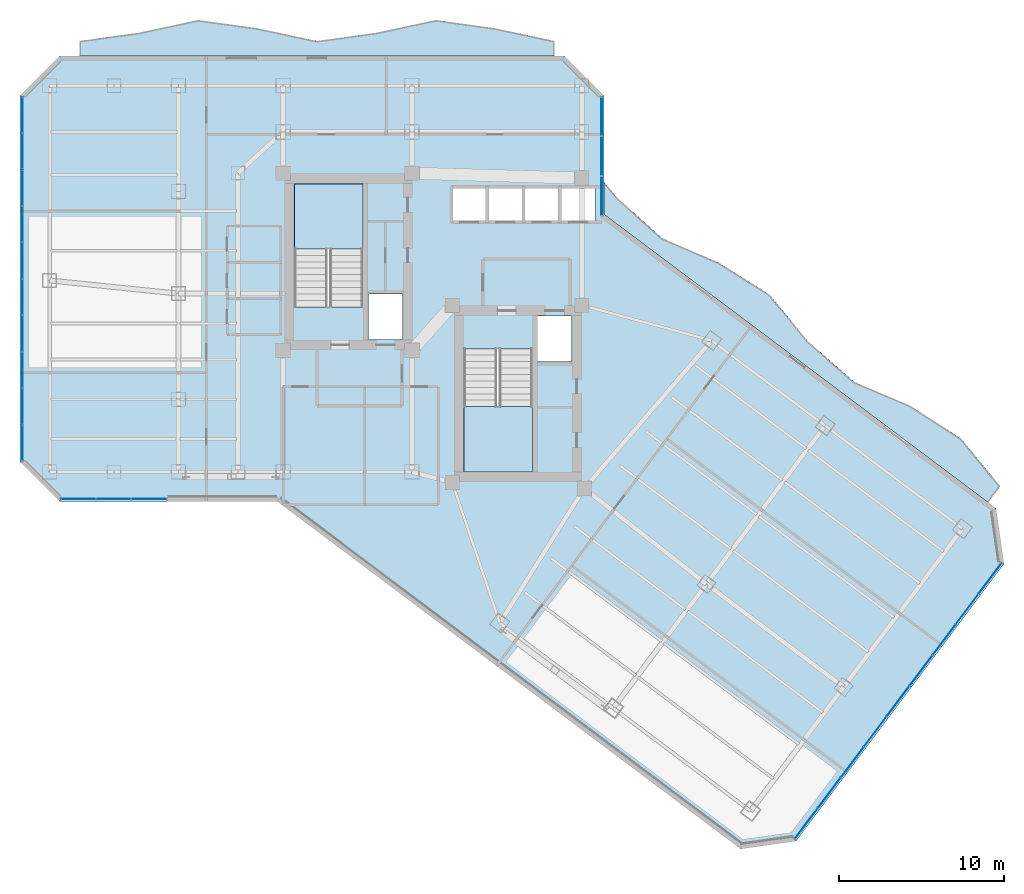
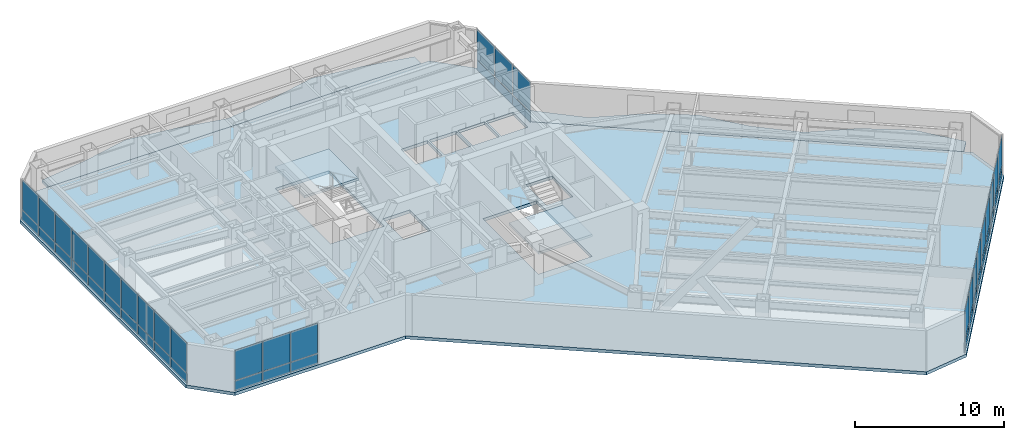
# One storey, part 20 of 29: 50 plates, 5 slabs, 6 elements without a shape of their own.
"""IFC4 building model written with IfcOpenShell, lengths in metres."""

from ifc_helpers import new_model, si_unit, direction, frame, origin, origin_2d, place, context, subcontext, project, spatial, polyline, rectangle, outline, extrude, material, layer, layer_set, type_object, element, aggregate, save


model = new_model("IFC4")

# Units and contexts
model_context = context("Model", 3, precision=1e-05, world=origin(), true_north=direction((0.0, 1.0)))
body_context = subcontext(model_context, "Body", "Model", "MODEL_VIEW")
ifc_project = project(units=[si_unit("LENGTHUNIT", "METRE"), si_unit("AREAUNIT", "SQUARE_METRE"), si_unit("VOLUMEUNIT", "CUBIC_METRE"), si_unit("PLANEANGLEUNIT", "RADIAN"), si_unit("MASSUNIT", "GRAM", prefix="KILO")], contexts=[model_context])

# Site, building, storey
site_placement = place(None, origin())
site = spatial("IfcSite", under=ifc_project, at=site_placement, CompositionType="ELEMENT")
building_placement = place(site_placement, origin())
building = spatial("IfcBuilding", under=site, at=building_placement, Name="Hatsunagi Terrace Concourse", CompositionType="ELEMENT")
storey_placement = place(building_placement, frame((0.0, 0.0, 108.449951171875)))
storey = spatial("IfcBuildingStorey", under=building, at=storey_placement, Name="L28", CompositionType="ELEMENT", Elevation=108.449951171875)

# Curtain wall, plates
ifc_material_1 = material(Name="Anodised Aluminium Alloy 6063-T5", Category="aluminium")
ifc_layer_1 = layer(ifc_material_1, 0.199951171875)
ifc_layer_set_1 = layer_set([ifc_layer_1], Name="OfficeZone1_CW03")
curtain_wall_type = type_object("IfcCurtainWallType", Name="OfficeZone1_CW03", PredefinedType="NOTDEFINED", material=ifc_layer_set_1)
curtain_wall_1_placement = place(storey_placement, origin())
curtain_wall_1 = element("IfcCurtainWall", 1, at=curtain_wall_1_placement, inside=storey, type_object=curtain_wall_type, Name="Unitised Curtain Wall CW-03 CW-L28-03", PredefinedType="NOTDEFINED")
ifc_material_2 = material(Name="Warm Terracotta Ceramic Spandrel Panel", Category="masonry")
ifc_layer_2 = layer(ifc_material_2, 0.031982421875)
ifc_layer_set_2 = layer_set([ifc_layer_2], Name="CurtainWallSpandrelPanel_32")
plate_type_1 = type_object("IfcPlateType", Name="CurtainWallSpandrelPanel_32", PredefinedType="SHEET", material=ifc_layer_set_2)
plate_1_placement = place(storey_placement, frame((68.39697265625, 18.72998046875, 0.030029296875), z_axis=(0.0, 0.0, 1.0), x_axis=(-0.599969314634, -0.800023013105, 0.0)))
plate_1 = element("IfcPlate", 2, at=plate_1_placement, type_object=plate_type_1, Name="Terracotta Spandrel Panel SPN-01", PredefinedType="SHEET", context=body_context, shape_type="SweptSolid", body=[
    extrude(rectangle(XDim=2.264892578125, YDim=0.031982421875, at=origin_2d()), origin(), (0.0, 0.0, 1.0), 0.7900390625),
])
plate_2_placement = place(storey_placement, frame((67.0048828125, 16.873046875, 0.030029296875), z_axis=(0.0, 0.0, 1.0), x_axis=(-0.599969314634, -0.800023013105, 0.0)))
plate_2 = element("IfcPlate", 3, at=plate_2_placement, type_object=plate_type_1, Name="Terracotta Spandrel Panel SPN-01", PredefinedType="SHEET", context=body_context, shape_type="SweptSolid", body=[
    extrude(rectangle(XDim=2.264892578125, YDim=0.031982421875, at=origin_2d()), origin(), (0.0, 0.0, 1.0), 0.7900390625),
])
plate_3_placement = place(storey_placement, frame((65.612060546875, 15.01708984375, 0.030029296875), z_axis=(0.0, 0.0, 1.0), x_axis=(-0.599969314634, -0.800023013105, 0.0)))
plate_3 = element("IfcPlate", 4, at=plate_3_placement, type_object=plate_type_1, Name="Terracotta Spandrel Panel SPN-01", PredefinedType="SHEET", context=body_context, shape_type="SweptSolid", body=[
    extrude(rectangle(XDim=2.264892578125, YDim=0.031982421875, at=origin_2d()), origin(), (0.0, 0.0, 1.0), 0.7900390625),
])
plate_4_placement = place(storey_placement, frame((64.219970703125, 13.159912109375, 0.030029296875), z_axis=(0.0, 0.0, 1.0), x_axis=(-0.599969314634, -0.800023013105, 0.0)))
plate_4 = element("IfcPlate", 5, at=plate_4_placement, type_object=plate_type_1, Name="Terracotta Spandrel Panel SPN-01", PredefinedType="SHEET", context=body_context, shape_type="SweptSolid", body=[
    extrude(rectangle(XDim=2.264892578125, YDim=0.031982421875, at=origin_2d()), origin(), (0.0, 0.0, 1.0), 0.7900390625),
])
plate_5_placement = place(storey_placement, frame((62.827880859375, 11.303955078125, 0.030029296875), z_axis=(0.0, 0.0, 1.0), x_axis=(-0.599969314634, -0.800023013105, 0.0)))
plate_5 = element("IfcPlate", 6, at=plate_5_placement, type_object=plate_type_1, Name="Terracotta Spandrel Panel SPN-01", PredefinedType="SHEET", context=body_context, shape_type="SweptSolid", body=[
    extrude(rectangle(XDim=2.264892578125, YDim=0.031982421875, at=origin_2d()), origin(), (0.0, 0.0, 1.0), 0.7900390625),
])
plate_6_placement = place(storey_placement, frame((61.43603515625, 9.447998046875, 0.030029296875), z_axis=(0.0, 0.0, 1.0), x_axis=(-0.599969314634, -0.800023013105, 0.0)))
plate_6 = element("IfcPlate", 7, at=plate_6_placement, type_object=plate_type_1, Name="Terracotta Spandrel Panel SPN-01", PredefinedType="SHEET", context=body_context, shape_type="SweptSolid", body=[
    extrude(rectangle(XDim=2.264892578125, YDim=0.031982421875, at=origin_2d()), origin(), (0.0, 0.0, 1.0), 0.7900390625),
])
plate_7_placement = place(storey_placement, frame((60.0439453125, 7.591064453125, 0.030029296875), z_axis=(0.0, 0.0, 1.0), x_axis=(-0.599969314634, -0.800023013105, 0.0)))
plate_7 = element("IfcPlate", 8, at=plate_7_placement, type_object=plate_type_1, Name="Terracotta Spandrel Panel SPN-01", PredefinedType="SHEET", context=body_context, shape_type="SweptSolid", body=[
    extrude(rectangle(XDim=2.264892578125, YDim=0.031982421875, at=origin_2d()), origin(), (0.0, 0.0, 1.0), 0.7900390625),
])
plate_8_placement = place(storey_placement, frame((58.65087890625, 5.735107421875, 0.030029296875), z_axis=(0.0, 0.0, 1.0), x_axis=(-0.599969314634, -0.800023013105, 0.0)))
plate_8 = element("IfcPlate", 9, at=plate_8_placement, type_object=plate_type_1, Name="Terracotta Spandrel Panel SPN-01", PredefinedType="SHEET", context=body_context, shape_type="SweptSolid", body=[
    extrude(rectangle(XDim=2.264892578125, YDim=0.031982421875, at=origin_2d()), origin(), (0.0, 0.0, 1.0), 0.7900390625),
])
plate_9_placement = place(storey_placement, frame((57.259033203125, 3.8779296875, 0.030029296875), z_axis=(0.0, 0.0, 1.0), x_axis=(-0.599969314634, -0.800023013105, 0.0)))
plate_9 = element("IfcPlate", 10, at=plate_9_placement, type_object=plate_type_1, Name="Terracotta Spandrel Panel SPN-01", PredefinedType="SHEET", context=body_context, shape_type="SweptSolid", body=[
    extrude(rectangle(XDim=2.264892578125, YDim=0.031982421875, at=origin_2d()), origin(), (0.0, 0.0, 1.0), 0.7900390625),
])

curtain_wall_2_placement = place(storey_placement, origin())
curtain_wall_2 = element("IfcCurtainWall", 11, at=curtain_wall_2_placement, inside=storey, type_object=curtain_wall_type, Name="Unitised Curtain Wall CW-03 CW-L28-07", PredefinedType="NOTDEFINED")
plate_10_placement = place(storey_placement, frame((17.426025390625, 23.5400390625, 0.030029296875), z_axis=(0.0, 0.0, 1.0), x_axis=(-1.0, 0.0, 0.0)))
plate_10 = element("IfcPlate", 12, at=plate_10_placement, type_object=plate_type_1, Name="Terracotta Spandrel Panel SPN-01", PredefinedType="SHEET", context=body_context, shape_type="SweptSolid", body=[
    extrude(rectangle(XDim=2.092041015625, YDim=0.031982421875, at=origin_2d()), origin(), (0.0, 0.0, 1.0), 0.7900390625),
])
plate_11_placement = place(storey_placement, frame((15.279052734375, 23.5400390625, 0.030029296875), z_axis=(0.0, 0.0, 1.0), x_axis=(-1.0, 0.0, 0.0)))
plate_11 = element("IfcPlate", 13, at=plate_11_placement, type_object=plate_type_1, Name="Terracotta Spandrel Panel SPN-01", PredefinedType="SHEET", context=body_context, shape_type="SweptSolid", body=[
    extrude(rectangle(XDim=2.092041015625, YDim=0.031982421875, at=origin_2d()), origin(), (0.0, 0.0, 1.0), 0.7900390625),
])
plate_12_placement = place(storey_placement, frame((13.132080078125, 23.5400390625, 0.030029296875), z_axis=(0.0, 0.0, 1.0), x_axis=(-1.0, 0.0, 0.0)))
plate_12 = element("IfcPlate", 14, at=plate_12_placement, type_object=plate_type_1, Name="Terracotta Spandrel Panel SPN-01", PredefinedType="SHEET", context=body_context, shape_type="SweptSolid", body=[
    extrude(rectangle(XDim=2.092041015625, YDim=0.031982421875, at=origin_2d()), origin(), (0.0, 0.0, 1.0), 0.7900390625),
])

curtain_wall_3_placement = place(storey_placement, origin())
curtain_wall_3 = element("IfcCurtainWall", 15, at=curtain_wall_3_placement, inside=storey, type_object=curtain_wall_type, Name="Unitised Curtain Wall CW-03 CW-L28-09", PredefinedType="NOTDEFINED")
plate_13_placement = place(storey_placement, frame((9.739990234375, 26.9619140625, 0.030029296875), z_axis=(0.0, 0.0, 1.0), x_axis=(0.0, 1.0, 0.0)))
plate_13 = element("IfcPlate", 16, at=plate_13_placement, type_object=plate_type_1, Name="Terracotta Spandrel Panel SPN-01", PredefinedType="SHEET", context=body_context, shape_type="SweptSolid", body=[
    extrude(rectangle(XDim=2.153076171875, YDim=0.031982421875, at=origin_2d()), origin(), (0.0, 0.0, 1.0), 0.7900390625),
])
plate_14_placement = place(storey_placement, frame((9.739990234375, 29.1708984375, 0.030029296875), z_axis=(0.0, 0.0, 1.0), x_axis=(0.0, 1.0, 0.0)))
plate_14 = element("IfcPlate", 17, at=plate_14_placement, type_object=plate_type_1, Name="Terracotta Spandrel Panel SPN-01", PredefinedType="SHEET", context=body_context, shape_type="SweptSolid", body=[
    extrude(rectangle(XDim=2.153076171875, YDim=0.031982421875, at=origin_2d()), origin(), (0.0, 0.0, 1.0), 0.7900390625),
])
plate_15_placement = place(storey_placement, frame((9.739990234375, 31.37890625, 0.030029296875), z_axis=(0.0, 0.0, 1.0), x_axis=(0.0, 1.0, 0.0)))
plate_15 = element("IfcPlate", 18, at=plate_15_placement, type_object=plate_type_1, Name="Terracotta Spandrel Panel SPN-01", PredefinedType="SHEET", context=body_context, shape_type="SweptSolid", body=[
    extrude(rectangle(XDim=2.153076171875, YDim=0.031982421875, at=origin_2d()), origin(), (0.0, 0.0, 1.0), 0.7900390625),
])
plate_16_placement = place(storey_placement, frame((9.739990234375, 33.5869140625, 0.030029296875), z_axis=(0.0, 0.0, 1.0), x_axis=(0.0, 1.0, 0.0)))
plate_16 = element("IfcPlate", 19, at=plate_16_placement, type_object=plate_type_1, Name="Terracotta Spandrel Panel SPN-01", PredefinedType="SHEET", context=body_context, shape_type="SweptSolid", body=[
    extrude(rectangle(XDim=2.153076171875, YDim=0.031982421875, at=origin_2d()), origin(), (0.0, 0.0, 1.0), 0.7900390625),
])
plate_17_placement = place(storey_placement, frame((9.739990234375, 35.7958984375, 0.030029296875), z_axis=(0.0, 0.0, 1.0), x_axis=(0.0, 1.0, 0.0)))
plate_17 = element("IfcPlate", 20, at=plate_17_placement, type_object=plate_type_1, Name="Terracotta Spandrel Panel SPN-01", PredefinedType="SHEET", context=body_context, shape_type="SweptSolid", body=[
    extrude(rectangle(XDim=2.153076171875, YDim=0.031982421875, at=origin_2d()), origin(), (0.0, 0.0, 1.0), 0.7900390625),
])
plate_18_placement = place(storey_placement, frame((9.739990234375, 38.00390625, 0.030029296875), z_axis=(0.0, 0.0, 1.0), x_axis=(0.0, 1.0, 0.0)))
plate_18 = element("IfcPlate", 21, at=plate_18_placement, type_object=plate_type_1, Name="Terracotta Spandrel Panel SPN-01", PredefinedType="SHEET", context=body_context, shape_type="SweptSolid", body=[
    extrude(rectangle(XDim=2.153076171875, YDim=0.031982421875, at=origin_2d()), origin(), (0.0, 0.0, 1.0), 0.7900390625),
])
plate_19_placement = place(storey_placement, frame((9.739990234375, 40.212890625, 0.030029296875), z_axis=(0.0, 0.0, 1.0), x_axis=(0.0, 1.0, 0.0)))
plate_19 = element("IfcPlate", 22, at=plate_19_placement, type_object=plate_type_1, Name="Terracotta Spandrel Panel SPN-01", PredefinedType="SHEET", context=body_context, shape_type="SweptSolid", body=[
    extrude(rectangle(XDim=2.153076171875, YDim=0.031982421875, at=origin_2d()), origin(), (0.0, 0.0, 1.0), 0.7900390625),
])
plate_20_placement = place(storey_placement, frame((9.739990234375, 42.4208984375, 0.030029296875), z_axis=(0.0, 0.0, 1.0), x_axis=(0.0, 1.0, 0.0)))
plate_20 = element("IfcPlate", 23, at=plate_20_placement, type_object=plate_type_1, Name="Terracotta Spandrel Panel SPN-01", PredefinedType="SHEET", context=body_context, shape_type="SweptSolid", body=[
    extrude(rectangle(XDim=2.153076171875, YDim=0.031982421875, at=origin_2d()), origin(), (0.0, 0.0, 1.0), 0.7900390625),
])
plate_21_placement = place(storey_placement, frame((9.739990234375, 44.62890625, 0.030029296875), z_axis=(0.0, 0.0, 1.0), x_axis=(0.0, 1.0, 0.0)))
plate_21 = element("IfcPlate", 24, at=plate_21_placement, type_object=plate_type_1, Name="Terracotta Spandrel Panel SPN-01", PredefinedType="SHEET", context=body_context, shape_type="SweptSolid", body=[
    extrude(rectangle(XDim=2.153076171875, YDim=0.031982421875, at=origin_2d()), origin(), (0.0, 0.0, 1.0), 0.7900390625),
])
plate_22_placement = place(storey_placement, frame((9.739990234375, 46.837890625, 0.030029296875), z_axis=(0.0, 0.0, 1.0), x_axis=(0.0, 1.0, 0.0)))
plate_22 = element("IfcPlate", 25, at=plate_22_placement, type_object=plate_type_1, Name="Terracotta Spandrel Panel SPN-01", PredefinedType="SHEET", context=body_context, shape_type="SweptSolid", body=[
    extrude(rectangle(XDim=2.153076171875, YDim=0.031982421875, at=origin_2d()), origin(), (0.0, 0.0, 1.0), 0.7900390625),
])

curtain_wall_4_placement = place(storey_placement, origin())
curtain_wall_4 = element("IfcCurtainWall", 26, at=curtain_wall_4_placement, inside=storey, type_object=curtain_wall_type, Name="Unitised Curtain Wall CW-03 CW-L28-13", PredefinedType="NOTDEFINED")
plate_23_placement = place(storey_placement, frame((44.860107421875, 46.739990234375, 0.030029296875), z_axis=(0.0, 0.0, 1.0), x_axis=(0.0, -1.0, 0.0)))
plate_23 = element("IfcPlate", 27, at=plate_23_placement, type_object=plate_type_1, Name="Terracotta Spandrel Panel SPN-01", PredefinedType="SHEET", context=body_context, shape_type="SweptSolid", body=[
    extrude(rectangle(XDim=2.34912109375, YDim=0.031982421875, at=origin_2d()), origin(), (0.0, 0.0, 1.0), 0.7900390625),
])
plate_24_placement = place(storey_placement, frame((44.860107421875, 44.3359375, 0.030029296875), z_axis=(0.0, 0.0, 1.0), x_axis=(0.0, -1.0, 0.0)))
plate_24 = element("IfcPlate", 28, at=plate_24_placement, type_object=plate_type_1, Name="Terracotta Spandrel Panel SPN-01", PredefinedType="SHEET", context=body_context, shape_type="SweptSolid", body=[
    extrude(rectangle(XDim=2.34912109375, YDim=0.031982421875, at=origin_2d()), origin(), (0.0, 0.0, 1.0), 0.7900390625),
])
plate_25_placement = place(storey_placement, frame((44.860107421875, 41.931884765625, 0.030029296875), z_axis=(0.0, 0.0, 1.0), x_axis=(0.0, -1.0, 0.0)))
plate_25 = element("IfcPlate", 29, at=plate_25_placement, type_object=plate_type_1, Name="Terracotta Spandrel Panel SPN-01", PredefinedType="SHEET", context=body_context, shape_type="SweptSolid", body=[
    extrude(rectangle(XDim=2.34912109375, YDim=0.031982421875, at=origin_2d()), origin(), (0.0, 0.0, 1.0), 0.7900390625),
])

# Plate
ifc_material_3 = material(Name="Low-E Double Insulating Glass 28mm", Category="glass")
ifc_layer_3 = layer(ifc_material_3, 0.028076171875)
ifc_layer_set_3 = layer_set([ifc_layer_3], Name="CurtainWallVisionGlass_28")
plate_type_2 = type_object("IfcPlateType", Name="CurtainWallVisionGlass_28", PredefinedType="CURTAIN_PANEL", material=ifc_layer_set_3)
plate_26_placement = place(storey_placement, frame((68.39697265625, 18.72998046875, 0.880126953125), z_axis=(0.0, 0.0, 1.0), x_axis=(-0.599969314634, -0.800023013105, 0.0)))
plate_26 = element("IfcPlate", 30, at=plate_26_placement, type_object=plate_type_2, Name="Low-E Vision Glass Panel GLZ-01", PredefinedType="CURTAIN_PANEL", context=body_context, shape_type="SweptSolid", body=[
    extrude(rectangle(XDim=2.264892578125, YDim=0.028076171875, at=origin_2d()), origin(), (0.0, 0.0, 1.0), 2.43994140625),
])

plate_27_placement = place(storey_placement, frame((67.0048828125, 16.873046875, 0.880126953125), z_axis=(0.0, 0.0, 1.0), x_axis=(-0.599969314634, -0.800023013105, 0.0)))
plate_27 = element("IfcPlate", 31, at=plate_27_placement, type_object=plate_type_2, Name="Low-E Vision Glass Panel GLZ-01", PredefinedType="CURTAIN_PANEL", context=body_context, shape_type="SweptSolid", body=[
    extrude(rectangle(XDim=2.264892578125, YDim=0.028076171875, at=origin_2d()), origin(), (0.0, 0.0, 1.0), 2.43994140625),
])

plate_28_placement = place(storey_placement, frame((65.612060546875, 15.01708984375, 0.880126953125), z_axis=(0.0, 0.0, 1.0), x_axis=(-0.599969314634, -0.800023013105, 0.0)))
plate_28 = element("IfcPlate", 32, at=plate_28_placement, type_object=plate_type_2, Name="Low-E Vision Glass Panel GLZ-01", PredefinedType="CURTAIN_PANEL", context=body_context, shape_type="SweptSolid", body=[
    extrude(rectangle(XDim=2.264892578125, YDim=0.028076171875, at=origin_2d()), origin(), (0.0, 0.0, 1.0), 2.43994140625),
])

plate_29_placement = place(storey_placement, frame((64.219970703125, 13.159912109375, 0.880126953125), z_axis=(0.0, 0.0, 1.0), x_axis=(-0.599969314634, -0.800023013105, 0.0)))
plate_29 = element("IfcPlate", 33, at=plate_29_placement, type_object=plate_type_2, Name="Low-E Vision Glass Panel GLZ-01", PredefinedType="CURTAIN_PANEL", context=body_context, shape_type="SweptSolid", body=[
    extrude(rectangle(XDim=2.264892578125, YDim=0.028076171875, at=origin_2d()), origin(), (0.0, 0.0, 1.0), 2.43994140625),
])

plate_30_placement = place(storey_placement, frame((62.827880859375, 11.303955078125, 0.880126953125), z_axis=(0.0, 0.0, 1.0), x_axis=(-0.599969314634, -0.800023013105, 0.0)))
plate_30 = element("IfcPlate", 34, at=plate_30_placement, type_object=plate_type_2, Name="Low-E Vision Glass Panel GLZ-01", PredefinedType="CURTAIN_PANEL", context=body_context, shape_type="SweptSolid", body=[
    extrude(rectangle(XDim=2.264892578125, YDim=0.028076171875, at=origin_2d()), origin(), (0.0, 0.0, 1.0), 2.43994140625),
])

plate_31_placement = place(storey_placement, frame((61.43603515625, 9.447998046875, 0.880126953125), z_axis=(0.0, 0.0, 1.0), x_axis=(-0.599969314634, -0.800023013105, 0.0)))
plate_31 = element("IfcPlate", 35, at=plate_31_placement, type_object=plate_type_2, Name="Low-E Vision Glass Panel GLZ-01", PredefinedType="CURTAIN_PANEL", context=body_context, shape_type="SweptSolid", body=[
    extrude(rectangle(XDim=2.264892578125, YDim=0.028076171875, at=origin_2d()), origin(), (0.0, 0.0, 1.0), 2.43994140625),
])

plate_32_placement = place(storey_placement, frame((60.0439453125, 7.591064453125, 0.880126953125), z_axis=(0.0, 0.0, 1.0), x_axis=(-0.599969314634, -0.800023013105, 0.0)))
plate_32 = element("IfcPlate", 36, at=plate_32_placement, type_object=plate_type_2, Name="Low-E Vision Glass Panel GLZ-01", PredefinedType="CURTAIN_PANEL", context=body_context, shape_type="SweptSolid", body=[
    extrude(rectangle(XDim=2.264892578125, YDim=0.028076171875, at=origin_2d()), origin(), (0.0, 0.0, 1.0), 2.43994140625),
])

plate_33_placement = place(storey_placement, frame((58.65087890625, 5.735107421875, 0.880126953125), z_axis=(0.0, 0.0, 1.0), x_axis=(-0.599969314634, -0.800023013105, 0.0)))
plate_33 = element("IfcPlate", 37, at=plate_33_placement, type_object=plate_type_2, Name="Low-E Vision Glass Panel GLZ-01", PredefinedType="CURTAIN_PANEL", context=body_context, shape_type="SweptSolid", body=[
    extrude(rectangle(XDim=2.264892578125, YDim=0.028076171875, at=origin_2d()), origin(), (0.0, 0.0, 1.0), 2.43994140625),
])

plate_34_placement = place(storey_placement, frame((57.259033203125, 3.8779296875, 0.880126953125), z_axis=(0.0, 0.0, 1.0), x_axis=(-0.599969314634, -0.800023013105, 0.0)))
plate_34 = element("IfcPlate", 38, at=plate_34_placement, type_object=plate_type_2, Name="Low-E Vision Glass Panel GLZ-01", PredefinedType="CURTAIN_PANEL", context=body_context, shape_type="SweptSolid", body=[
    extrude(rectangle(XDim=2.264892578125, YDim=0.028076171875, at=origin_2d()), origin(), (0.0, 0.0, 1.0), 2.43994140625),
])

aggregate(curtain_wall_1, [plate_1, plate_26, plate_2, plate_27, plate_3, plate_28, plate_4, plate_29, plate_5, plate_30, plate_6, plate_31, plate_7, plate_32, plate_8, plate_33, plate_9, plate_34])

plate_35_placement = place(storey_placement, frame((17.426025390625, 23.5400390625, 0.880126953125), z_axis=(0.0, 0.0, 1.0), x_axis=(-1.0, 0.0, 0.0)))
plate_35 = element("IfcPlate", 39, at=plate_35_placement, type_object=plate_type_2, Name="Low-E Vision Glass Panel GLZ-01", PredefinedType="CURTAIN_PANEL", context=body_context, shape_type="SweptSolid", body=[
    extrude(rectangle(XDim=2.092041015625, YDim=0.028076171875, at=origin_2d()), origin(), (0.0, 0.0, 1.0), 2.43994140625),
])

plate_36_placement = place(storey_placement, frame((15.279052734375, 23.5400390625, 0.880126953125), z_axis=(0.0, 0.0, 1.0), x_axis=(-1.0, 0.0, 0.0)))
plate_36 = element("IfcPlate", 40, at=plate_36_placement, type_object=plate_type_2, Name="Low-E Vision Glass Panel GLZ-01", PredefinedType="CURTAIN_PANEL", context=body_context, shape_type="SweptSolid", body=[
    extrude(rectangle(XDim=2.092041015625, YDim=0.028076171875, at=origin_2d()), origin(), (0.0, 0.0, 1.0), 2.43994140625),
])

plate_37_placement = place(storey_placement, frame((13.132080078125, 23.5400390625, 0.880126953125), z_axis=(0.0, 0.0, 1.0), x_axis=(-1.0, 0.0, 0.0)))
plate_37 = element("IfcPlate", 41, at=plate_37_placement, type_object=plate_type_2, Name="Low-E Vision Glass Panel GLZ-01", PredefinedType="CURTAIN_PANEL", context=body_context, shape_type="SweptSolid", body=[
    extrude(rectangle(XDim=2.092041015625, YDim=0.028076171875, at=origin_2d()), origin(), (0.0, 0.0, 1.0), 2.43994140625),
])

aggregate(curtain_wall_2, [plate_10, plate_35, plate_11, plate_36, plate_12, plate_37])

plate_38_placement = place(storey_placement, frame((9.739990234375, 26.9619140625, 0.880126953125), z_axis=(0.0, 0.0, 1.0), x_axis=(0.0, 1.0, 0.0)))
plate_38 = element("IfcPlate", 42, at=plate_38_placement, type_object=plate_type_2, Name="Low-E Vision Glass Panel GLZ-01", PredefinedType="CURTAIN_PANEL", context=body_context, shape_type="SweptSolid", body=[
    extrude(rectangle(XDim=2.153076171875, YDim=0.028076171875, at=origin_2d()), origin(), (0.0, 0.0, 1.0), 2.43994140625),
])

plate_39_placement = place(storey_placement, frame((9.739990234375, 29.1708984375, 0.880126953125), z_axis=(0.0, 0.0, 1.0), x_axis=(0.0, 1.0, 0.0)))
plate_39 = element("IfcPlate", 43, at=plate_39_placement, type_object=plate_type_2, Name="Low-E Vision Glass Panel GLZ-01", PredefinedType="CURTAIN_PANEL", context=body_context, shape_type="SweptSolid", body=[
    extrude(rectangle(XDim=2.153076171875, YDim=0.028076171875, at=origin_2d()), origin(), (0.0, 0.0, 1.0), 2.43994140625),
])

plate_40_placement = place(storey_placement, frame((9.739990234375, 31.37890625, 0.880126953125), z_axis=(0.0, 0.0, 1.0), x_axis=(0.0, 1.0, 0.0)))
plate_40 = element("IfcPlate", 44, at=plate_40_placement, type_object=plate_type_2, Name="Low-E Vision Glass Panel GLZ-01", PredefinedType="CURTAIN_PANEL", context=body_context, shape_type="SweptSolid", body=[
    extrude(rectangle(XDim=2.153076171875, YDim=0.028076171875, at=origin_2d()), origin(), (0.0, 0.0, 1.0), 2.43994140625),
])

plate_41_placement = place(storey_placement, frame((9.739990234375, 33.5869140625, 0.880126953125), z_axis=(0.0, 0.0, 1.0), x_axis=(0.0, 1.0, 0.0)))
plate_41 = element("IfcPlate", 45, at=plate_41_placement, type_object=plate_type_2, Name="Low-E Vision Glass Panel GLZ-01", PredefinedType="CURTAIN_PANEL", context=body_context, shape_type="SweptSolid", body=[
    extrude(rectangle(XDim=2.153076171875, YDim=0.028076171875, at=origin_2d()), origin(), (0.0, 0.0, 1.0), 2.43994140625),
])

plate_42_placement = place(storey_placement, frame((9.739990234375, 35.7958984375, 0.880126953125), z_axis=(0.0, 0.0, 1.0), x_axis=(0.0, 1.0, 0.0)))
plate_42 = element("IfcPlate", 46, at=plate_42_placement, type_object=plate_type_2, Name="Low-E Vision Glass Panel GLZ-01", PredefinedType="CURTAIN_PANEL", context=body_context, shape_type="SweptSolid", body=[
    extrude(rectangle(XDim=2.153076171875, YDim=0.028076171875, at=origin_2d()), origin(), (0.0, 0.0, 1.0), 2.43994140625),
])

plate_43_placement = place(storey_placement, frame((9.739990234375, 38.00390625, 0.880126953125), z_axis=(0.0, 0.0, 1.0), x_axis=(0.0, 1.0, 0.0)))
plate_43 = element("IfcPlate", 47, at=plate_43_placement, type_object=plate_type_2, Name="Low-E Vision Glass Panel GLZ-01", PredefinedType="CURTAIN_PANEL", context=body_context, shape_type="SweptSolid", body=[
    extrude(rectangle(XDim=2.153076171875, YDim=0.028076171875, at=origin_2d()), origin(), (0.0, 0.0, 1.0), 2.43994140625),
])

plate_44_placement = place(storey_placement, frame((9.739990234375, 40.212890625, 0.880126953125), z_axis=(0.0, 0.0, 1.0), x_axis=(0.0, 1.0, 0.0)))
plate_44 = element("IfcPlate", 48, at=plate_44_placement, type_object=plate_type_2, Name="Low-E Vision Glass Panel GLZ-01", PredefinedType="CURTAIN_PANEL", context=body_context, shape_type="SweptSolid", body=[
    extrude(rectangle(XDim=2.153076171875, YDim=0.028076171875, at=origin_2d()), origin(), (0.0, 0.0, 1.0), 2.43994140625),
])

plate_45_placement = place(storey_placement, frame((9.739990234375, 42.4208984375, 0.880126953125), z_axis=(0.0, 0.0, 1.0), x_axis=(0.0, 1.0, 0.0)))
plate_45 = element("IfcPlate", 49, at=plate_45_placement, type_object=plate_type_2, Name="Low-E Vision Glass Panel GLZ-01", PredefinedType="CURTAIN_PANEL", context=body_context, shape_type="SweptSolid", body=[
    extrude(rectangle(XDim=2.153076171875, YDim=0.028076171875, at=origin_2d()), origin(), (0.0, 0.0, 1.0), 2.43994140625),
])

plate_46_placement = place(storey_placement, frame((9.739990234375, 44.62890625, 0.880126953125), z_axis=(0.0, 0.0, 1.0), x_axis=(0.0, 1.0, 0.0)))
plate_46 = element("IfcPlate", 50, at=plate_46_placement, type_object=plate_type_2, Name="Low-E Vision Glass Panel GLZ-01", PredefinedType="CURTAIN_PANEL", context=body_context, shape_type="SweptSolid", body=[
    extrude(rectangle(XDim=2.153076171875, YDim=0.028076171875, at=origin_2d()), origin(), (0.0, 0.0, 1.0), 2.43994140625),
])

plate_47_placement = place(storey_placement, frame((9.739990234375, 46.837890625, 0.880126953125), z_axis=(0.0, 0.0, 1.0), x_axis=(0.0, 1.0, 0.0)))
plate_47 = element("IfcPlate", 51, at=plate_47_placement, type_object=plate_type_2, Name="Low-E Vision Glass Panel GLZ-01", PredefinedType="CURTAIN_PANEL", context=body_context, shape_type="SweptSolid", body=[
    extrude(rectangle(XDim=2.153076171875, YDim=0.028076171875, at=origin_2d()), origin(), (0.0, 0.0, 1.0), 2.43994140625),
])

aggregate(curtain_wall_3, [plate_13, plate_38, plate_14, plate_39, plate_15, plate_40, plate_16, plate_41, plate_17, plate_42, plate_18, plate_43, plate_19, plate_44, plate_20, plate_45, plate_21, plate_46, plate_22, plate_47])

plate_48_placement = place(storey_placement, frame((44.860107421875, 46.739990234375, 0.880126953125), z_axis=(0.0, 0.0, 1.0), x_axis=(0.0, -1.0, 0.0)))
plate_48 = element("IfcPlate", 52, at=plate_48_placement, type_object=plate_type_2, Name="Low-E Vision Glass Panel GLZ-01", PredefinedType="CURTAIN_PANEL", context=body_context, shape_type="SweptSolid", body=[
    extrude(rectangle(XDim=2.34912109375, YDim=0.028076171875, at=origin_2d()), origin(), (0.0, 0.0, 1.0), 2.43994140625),
])

plate_49_placement = place(storey_placement, frame((44.860107421875, 44.3359375, 0.880126953125), z_axis=(0.0, 0.0, 1.0), x_axis=(0.0, -1.0, 0.0)))
plate_49 = element("IfcPlate", 53, at=plate_49_placement, type_object=plate_type_2, Name="Low-E Vision Glass Panel GLZ-01", PredefinedType="CURTAIN_PANEL", context=body_context, shape_type="SweptSolid", body=[
    extrude(rectangle(XDim=2.34912109375, YDim=0.028076171875, at=origin_2d()), origin(), (0.0, 0.0, 1.0), 2.43994140625),
])

plate_50_placement = place(storey_placement, frame((44.860107421875, 41.931884765625, 0.880126953125), z_axis=(0.0, 0.0, 1.0), x_axis=(0.0, -1.0, 0.0)))
plate_50 = element("IfcPlate", 54, at=plate_50_placement, type_object=plate_type_2, Name="Low-E Vision Glass Panel GLZ-01", PredefinedType="CURTAIN_PANEL", context=body_context, shape_type="SweptSolid", body=[
    extrude(rectangle(XDim=2.34912109375, YDim=0.028076171875, at=origin_2d()), origin(), (0.0, 0.0, 1.0), 2.43994140625),
])

aggregate(curtain_wall_4, [plate_23, plate_48, plate_24, plate_49, plate_25, plate_50])

# Stair, slab
ifc_material_4 = material(Name="Concrete Fc42", Category="concrete")
stair_type = type_object("IfcStairType", Name="DoglegExitStair_Tower2000_20R_180", PredefinedType="HALF_TURN_STAIR", material=ifc_material_4)
stair_1_placement = place(storey_placement, origin())
stair_1 = element("IfcStair", 55, at=stair_1_placement, inside=storey, type_object=stair_type, Name="L28 Core A Protected Exit Stair ST-A", PredefinedType="HALF_TURN_STAIR")
ifc_material_5 = material(Name="Concrete Fc42", Category="concrete")
ifc_layer_4 = layer(ifc_material_5, 0.199951171875)
ifc_layer_set_4 = layer_set([ifc_layer_4], Name="DoglegStairLanding_Tower2000")
slab_type_1 = type_object("IfcSlabType", Name="DoglegStairLanding_Tower2000", PredefinedType="LANDING", material=ifc_layer_set_4)
slab_1_placement = place(storey_placement, frame((0.0, 0.0, 1.60009765625)))
slab_1 = element("IfcSlab", 56, at=slab_1_placement, type_object=slab_type_1, Name="ST-A landing 1", PredefinedType="LANDING", context=body_context, shape_type="SweptSolid", body=[
    extrude(outline(polyline([(30.3798828125, 38.7099609375), (30.3798828125, 42.659912109375), (26.22998046875, 42.659912109375), (26.22998046875, 38.7099609375), (30.3798828125, 38.7099609375)])), origin(), (0.0, 0.0, 1.0), 0.199951171875),
])
aggregate(stair_1, [slab_1])

stair_2_placement = place(storey_placement, origin())
stair_2 = element("IfcStair", 57, at=stair_2_placement, inside=storey, type_object=stair_type, Name="L28 Core B Protected Exit Stair ST-B", PredefinedType="HALF_TURN_STAIR")
slab_2_placement = place(storey_placement, frame((0.0, 0.0, 1.60009765625)))
slab_2 = element("IfcSlab", 58, at=slab_2_placement, type_object=slab_type_1, Name="ST-B landing 1", PredefinedType="LANDING", context=body_context, shape_type="SweptSolid", body=[
    extrude(outline(polyline([(36.5, 29.14990234375), (36.5, 25.199951171875), (40.64990234375, 25.199951171875), (40.64990234375, 29.14990234375), (36.5, 29.14990234375)])), origin(), (0.0, 0.0, 1.0), 0.199951171875),
])
aggregate(stair_2, [slab_2])

# Slabs
ifc_material_6 = material(Name="Concrete Fc42", Category="concrete")
ifc_layer_5 = layer(ifc_material_6, 0.199951171875)
ifc_layer_set_5 = layer_set([ifc_layer_5], Name="EngawaBalconySlab_Fc42_200")
slab_type_2 = type_object("IfcSlabType", Name="EngawaBalconySlab_Fc42_200", PredefinedType="FLOOR", material=ifc_layer_set_5)
slab_3_placement = place(storey_placement, frame((0.0, 0.0, -0.199951171875)))
element("IfcSlab", 59, at=slab_3_placement, inside=storey, type_object=slab_type_2, Name="Engawa Balcony Slab BAL-L28-BN", PredefinedType="FLOOR", context=body_context, shape_type="SweptSolid", body=[
    extrude(outline(polyline([(13.199951171875, 51.31396484375), (13.199951171875, 50.39990234375), (42.0, 50.39990234375), (42.0, 51.31396484375), (38.39990234375, 52.0849609375), (34.800048828125, 52.5859375), (31.199951171875, 51.81494140625), (27.60009765625, 51.31396484375), (24.0, 52.0849609375), (20.39990234375, 52.5859375), (16.800048828125, 51.81494140625), (13.199951171875, 51.31396484375)])), origin(), (0.0, 0.0, 1.0), 0.199951171875),
])
slab_4_placement = place(storey_placement, frame((0.0, 0.0, -0.199951171875)))
element("IfcSlab", 60, at=slab_4_placement, inside=storey, type_object=slab_type_2, Name="Engawa Balcony Slab BAL-L28-BSE", PredefinedType="FLOOR", context=body_context, shape_type="SweptSolid", body=[
    extrude(outline(polyline([(45.799072265625, 41.81005859375), (44.99609375, 42.77392578125), (44.99609375, 40.802978515625), (68.280029296875, 23.340087890625), (69.011962890625, 24.31591796875), (66.64208984375, 27.2119140625), (63.5849609375, 29.19091796875), (60.14599609375, 30.660888671875), (57.405029296875, 33.06298828125), (55.02587890625, 35.946044921875), (51.93798828125, 37.884033203125), (48.509033203125, 39.366943359375), (45.799072265625, 41.81005859375)])), origin(), (0.0, 0.0, 1.0), 0.199951171875),
])
ifc_material_7 = material(Name="Concrete Fc42", Category="concrete")
ifc_layer_6 = layer(ifc_material_7, 0.25)
ifc_layer_set_6 = layer_set([ifc_layer_6], Name="OfficeCrownSlab_Fc42_250")
slab_type_3 = type_object("IfcSlabType", Name="OfficeCrownSlab_Fc42_250", PredefinedType="FLOOR", material=ifc_layer_set_6)
slab_5_placement = place(storey_placement, frame((0.0, 0.0, -0.25)))
element("IfcSlab", 61, at=slab_5_placement, inside=storey, type_object=slab_type_3, Name="Floor Slab SL-250 L28", PredefinedType="FLOOR", context=body_context, shape_type="SweptSolid", body=[
    extrude(outline(polyline([(45.0, 40.800048828125), (45.0, 48.0), (42.60009765625, 50.39990234375), (12.0, 50.39990234375), (9.60009765625, 48.0), (9.60009765625, 25.800048828125), (12.0, 23.39990234375), (25.199951171875, 23.39990234375), (53.280029296875, 2.340087890625), (56.639892578125, 2.820068359375), (69.239990234375, 19.6201171875), (68.760009765625, 22.97998046875), (45.0, 40.800048828125)]), holes=[polyline([(26.22998046875, 35.205078125), (30.3798828125, 35.205078125), (30.3798828125, 42.659912109375), (26.22998046875, 42.659912109375), (26.22998046875, 35.205078125)]), polyline([(36.5, 25.199951171875), (40.64990234375, 25.199951171875), (40.64990234375, 32.655029296875), (36.5, 32.655029296875), (36.5, 25.199951171875)]), polyline([(30.719970703125, 33.219970703125), (32.780029296875, 33.219970703125), (32.780029296875, 35.97998046875), (30.719970703125, 35.97998046875), (30.719970703125, 33.219970703125)]), polyline([(40.97998046875, 31.8798828125), (43.02001953125, 31.8798828125), (43.02001953125, 34.639892578125), (40.97998046875, 34.639892578125), (40.97998046875, 31.8798828125)]), polyline([(35.800048828125, 40.39990234375), (37.85009765625, 40.39990234375), (37.85009765625, 42.39990234375), (35.800048828125, 42.39990234375), (35.800048828125, 40.39990234375)]), polyline([(38.0, 40.39990234375), (40.050048828125, 40.39990234375), (40.050048828125, 42.39990234375), (38.0, 42.39990234375), (38.0, 40.39990234375)]), polyline([(40.199951171875, 40.39990234375), (42.25, 40.39990234375), (42.25, 42.39990234375), (40.199951171875, 42.39990234375), (40.199951171875, 40.39990234375)]), polyline([(42.39990234375, 40.39990234375), (44.449951171875, 40.39990234375), (44.449951171875, 42.39990234375), (42.39990234375, 42.39990234375), (42.39990234375, 40.39990234375)])]), origin(), (0.0, 0.0, 1.0), 0.25),
])

save(model, "model.ifc")
